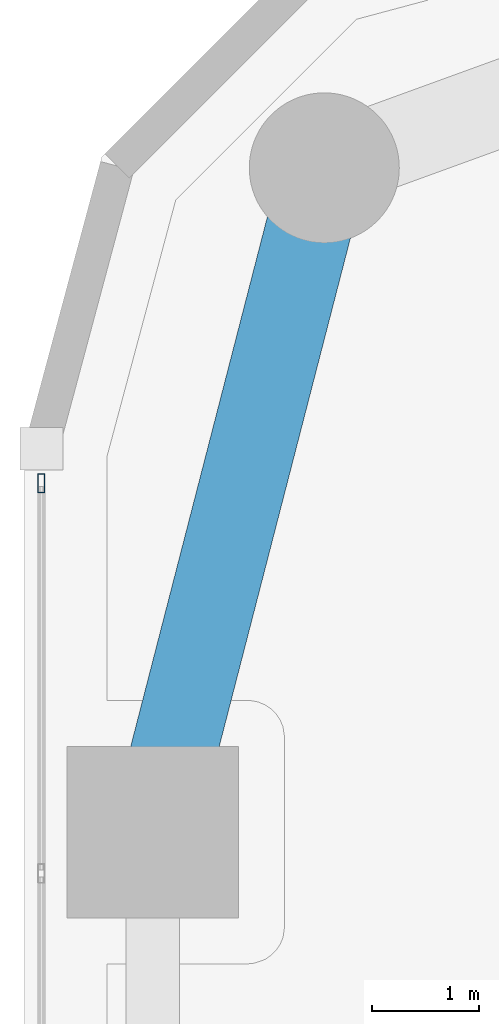
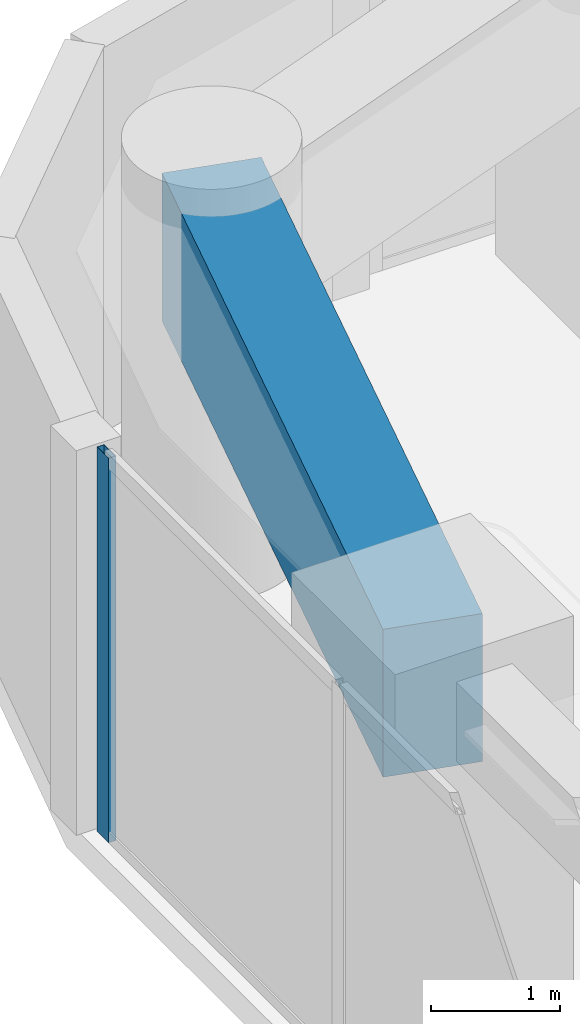
# One storey, part 14 of 29: 1 beam, 1 member, 1 element without a shape of its own.
"""IFC4 building model written with IfcOpenShell, lengths in metres."""

from ifc_helpers import new_model, si_unit, direction, frame, origin, origin_2d, place, context, subcontext, project, spatial, rectangle, hollow_rectangle, extrude, material, layer, layer_set, material_profile, profile_set, type_object, element, aggregate, save


model = new_model("IFC4")

# Units and contexts
model_context = context("Model", 3, precision=1e-05, world=origin(), true_north=direction((0.0, 1.0)))
body_context = subcontext(model_context, "Body", "Model", "MODEL_VIEW")
ifc_project = project(units=[si_unit("LENGTHUNIT", "METRE"), si_unit("AREAUNIT", "SQUARE_METRE"), si_unit("VOLUMEUNIT", "CUBIC_METRE"), si_unit("PLANEANGLEUNIT", "RADIAN"), si_unit("MASSUNIT", "GRAM", prefix="KILO")], contexts=[model_context])

# Site, building, storey
site_placement = place(None, origin())
site = spatial("IfcSite", under=ifc_project, at=site_placement, CompositionType="ELEMENT")
building_placement = place(site_placement, origin())
building = spatial("IfcBuilding", under=site, at=building_placement, Name="Kiyonajd Concourse Tower", CompositionType="ELEMENT")
storey_placement = place(building_placement, frame((0.0, 0.0, 25.5)))
storey = spatial("IfcBuildingStorey", under=building, at=storey_placement, Name="L07", CompositionType="ELEMENT", Elevation=25.5)

# Beam
ifc_material_1 = material(Name="Concrete C60/75", Category="concrete")
ifc_material_profile_1 = material_profile(ifc_material_1, rectangle(XDim=0.800048828125, YDim=1.39990234375, at=origin_2d()), Name="RCBM-800x1400")
ifc_profile_set_1 = profile_set([ifc_material_profile_1], Name="Concrete C60/75")
beam_type = type_object("IfcBeamType", Name="BM-XFER-RC", PredefinedType="BEAM", material=ifc_profile_set_1)
beam_placement = place(storey_placement, frame((20.800048828125, 59.60009765625, 2.93994140625), z_axis=(-0.249884937687, -0.968275538221, 0.0), x_axis=(0.968275538221, -0.249884937687, 0.0)))
element("IfcBeam", 1, at=beam_placement, inside=storey, type_object=beam_type, Name="L07 Perimeter Bundled Tube Spandrel", PredefinedType="BEAM", context=body_context, shape_type="SweptSolid", body=[
    extrude(rectangle(XDim=0.800048828125, YDim=1.39990234375, at=origin_2d()), origin(), (0.0, 0.0, 1.0), 6.4033203125),
])

# Curtain wall, member
ifc_material_2 = material(Name="Thermally Broken Anodised Aluminium", Category="aluminium")
ifc_layer = layer(ifc_material_2, 0.179931640625)
ifc_layer_set = layer_set([ifc_layer], Name="Thermally Broken Anodised Aluminium")
curtain_wall_type = type_object("IfcCurtainWallType", Name="CW-SYS-02", PredefinedType="NOTDEFINED", material=ifc_layer_set)
curtain_wall_placement = place(storey_placement, origin())
curtain_wall = element("IfcCurtainWall", 2, at=curtain_wall_placement, inside=storey, type_object=curtain_wall_type, Name="L07 Unitised Curtain Wall CW2", PredefinedType="NOTDEFINED")
ifc_material_profile_2 = material_profile(ifc_material_2, hollow_rectangle(XDim=0.06494140625, YDim=0.179931640625, WallThickness=0.00390625, at=origin_2d()), Name="MULL-65x180")
ifc_profile_set_2 = profile_set([ifc_material_profile_2], Name="Thermally Broken Anodised Aluminium")
member_type = type_object("IfcMemberType", Name="MB-CW-MULL1", PredefinedType="MULLION", material=ifc_profile_set_2)
member_placement = place(storey_placement, frame((18.159912109375, 56.656494140625, 0.0), z_axis=(0.0, 0.0, 1.0), x_axis=(-1.0, 0.0, 0.0)))
member = element("IfcMember", 3, at=member_placement, type_object=member_type, Name="CW2 mullion 7", PredefinedType="MULLION", context=body_context, shape_type="SweptSolid", body=[
    extrude(hollow_rectangle(XDim=0.06494140625, YDim=0.179931640625, WallThickness=0.00390625, at=origin_2d()), origin(), (0.0, 0.0, 1.0), 3.639892578125),
])
aggregate(curtain_wall, [member])

save(model, "model.ifc")
